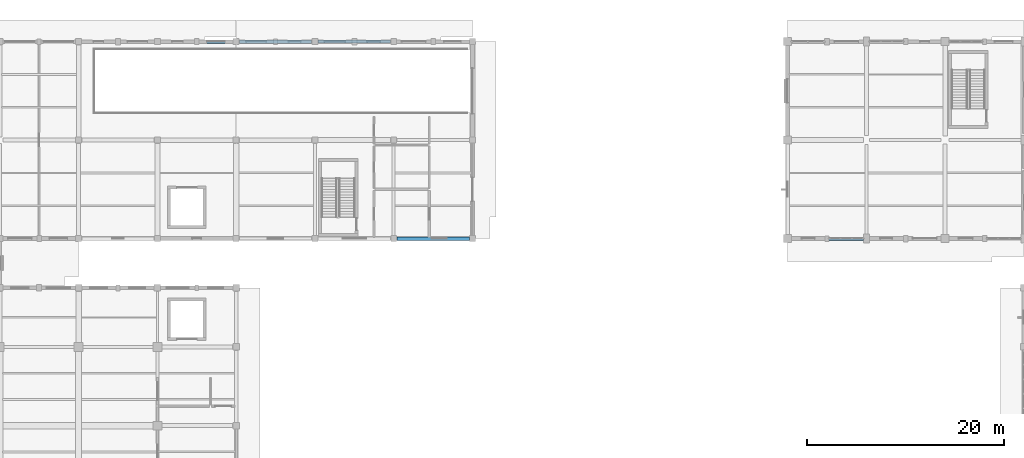
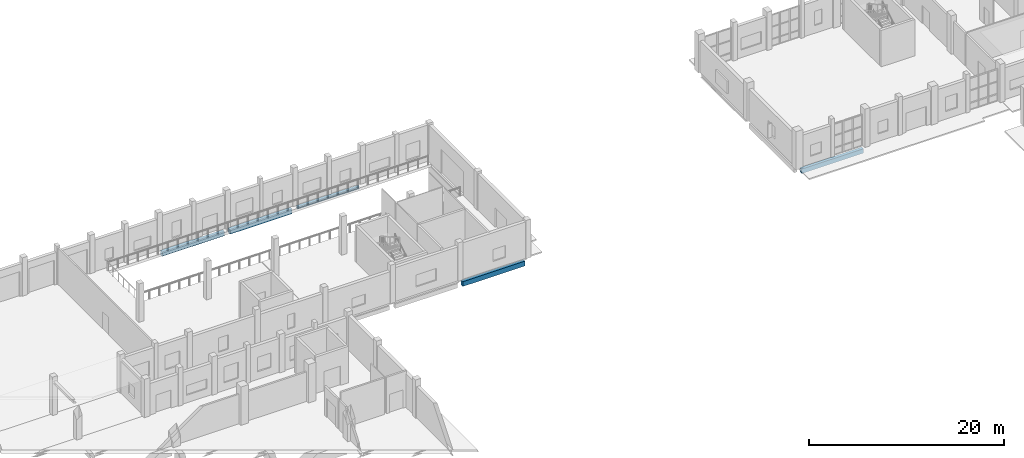
# One storey, part 52 of 156: 5 beams.
"""IFC4 building model written with IfcOpenShell, lengths in metres."""

from ifc_helpers import new_model, si_unit, direction, frame, origin, origin_2d, place, context, subcontext, project, spatial, rectangle, i_section, extrude, material, material_profile, profile_set, type_object, element, save


model = new_model("IFC4")

# Units and contexts
model_context = context("Model", 3, precision=1e-05, world=origin(), true_north=direction((0.0, 1.0)))
body_context = subcontext(model_context, "Body", "Model", "MODEL_VIEW")
ifc_project = project(units=[si_unit("LENGTHUNIT", "METRE"), si_unit("AREAUNIT", "SQUARE_METRE"), si_unit("VOLUMEUNIT", "CUBIC_METRE"), si_unit("PLANEANGLEUNIT", "RADIAN"), si_unit("MASSUNIT", "GRAM", prefix="KILO")], contexts=[model_context])

# Site, building, storey
site_placement = place(None, origin())
site = spatial("IfcSite", under=ifc_project, at=site_placement, CompositionType="ELEMENT")
building_placement = place(site_placement, origin())
building = spatial("IfcBuilding", under=site, at=building_placement, Name="Luwemba Playhouse", CompositionType="ELEMENT")
storey_placement = place(building_placement, origin())
storey = spatial("IfcBuildingStorey", under=building, at=storey_placement, Name="L00", CompositionType="ELEMENT", Elevation=0.0)

# Beams
ifc_material_1 = material(Name="Concrete C40/50", Category="concrete")
ifc_material_profile_1 = material_profile(ifc_material_1, rectangle(XDim=0.35009765625, YDim=0.550048828125, at=origin_2d()))
ifc_profile_set_1 = profile_set([ifc_material_profile_1], Name="Concrete C40/50")
beam_type_1 = type_object("IfcBeamType", Name="BM-SP2", PredefinedType="SPANDREL", material=ifc_profile_set_1)
beam_1_placement = place(storey_placement, frame((44.324951171875, 115.0, -0.614990234375), z_axis=(1.0, 0.0, 0.0), x_axis=(0.0, 1.0, 0.0)))
element("IfcBeam", 1, at=beam_1_placement, inside=storey, type_object=beam_type_1, Name="L00 grid girder 0277", PredefinedType="SPANDREL", context=body_context, shape_type="SweptSolid", body=[
    extrude(rectangle(XDim=0.35009765625, YDim=0.550048828125, at=origin_2d()), origin(), (0.0, 0.0, 1.0), 7.35009765625),
])
beam_2_placement = place(storey_placement, frame((108.39990234375, 95.0, -0.574951171875), z_axis=(1.0, 0.0, 0.0), x_axis=(0.0, 1.0, 0.0)))
element("IfcBeam", 2, at=beam_2_placement, inside=storey, type_object=beam_type_1, Name="L00 grid girder 0297", PredefinedType="SPANDREL", context=body_context, shape_type="SweptSolid", body=[
    extrude(rectangle(XDim=0.35009765625, YDim=0.550048828125, at=origin_2d()), origin(), (0.0, 0.0, 1.0), 7.300048828125),
])
ifc_material_profile_2 = material_profile(ifc_material_1, rectangle(XDim=0.35009765625, YDim=0.60009765625, at=origin_2d()))
ifc_profile_set_2 = profile_set([ifc_material_profile_2], Name="Concrete C40/50")
beam_type_2 = type_object("IfcBeamType", Name="BM-SP3", PredefinedType="SPANDREL", material=ifc_profile_set_2)
for number, where, z_axis, x_axis, name in (
    (3, (68.324951171875, 95.0, -0.639892578125), (1.0, 0.0, 0.0), (0.0, 1.0, 0.0), "L00 grid girder 0262"),
    (4, (52.324951171875, 115.0, -0.639892578125), (1.0, 0.0, 0.0), (0.0, 1.0, 0.0), "L00 grid girder 0278"),
):
    element("IfcBeam", number, at=place(storey_placement, frame(where, z_axis=z_axis, x_axis=x_axis)), inside=storey, type_object=beam_type_2, Name=name, PredefinedType="SPANDREL", context=body_context, shape_type="SweptSolid", body=[
        extrude(rectangle(XDim=0.35009765625, YDim=0.60009765625, at=origin_2d()), origin(), (0.0, 0.0, 1.0), 7.35009765625),
    ])
ifc_material_2 = material(Name="Steel S355", Category="steel")
ifc_material_profile_3 = material_profile(ifc_material_2, i_section(OverallWidth=0.300048828125, OverallDepth=0.300048828125, WebThickness=0.010986328125, FlangeThickness=0.01904296875, FilletRadius=0.027099609375, at=origin_2d()))
ifc_profile_set_3 = profile_set([ifc_material_profile_3], Name="Steel S355")
beam_type_3 = type_object("IfcBeamType", Name="BM-SSP1", PredefinedType="SPANDREL", material=ifc_profile_set_3)
beam_3_placement = place(storey_placement, frame((60.324951171875, 115.0, -0.489990234375), z_axis=(1.0, 0.0, 0.0), x_axis=(0.0, 1.0, 0.0)))
element("IfcBeam", 5, at=beam_3_placement, inside=storey, type_object=beam_type_3, Name="L00 grid girder 0279", PredefinedType="SPANDREL", context=body_context, shape_type="SweptSolid", body=[
    extrude(i_section(OverallWidth=0.300048828125, OverallDepth=0.300048828125, WebThickness=0.010986328125, FlangeThickness=0.01904296875, FilletRadius=0.027099609375, at=origin_2d()), origin(), (0.0, 0.0, 1.0), 7.35009765625),
])

save(model, "model.ifc")
